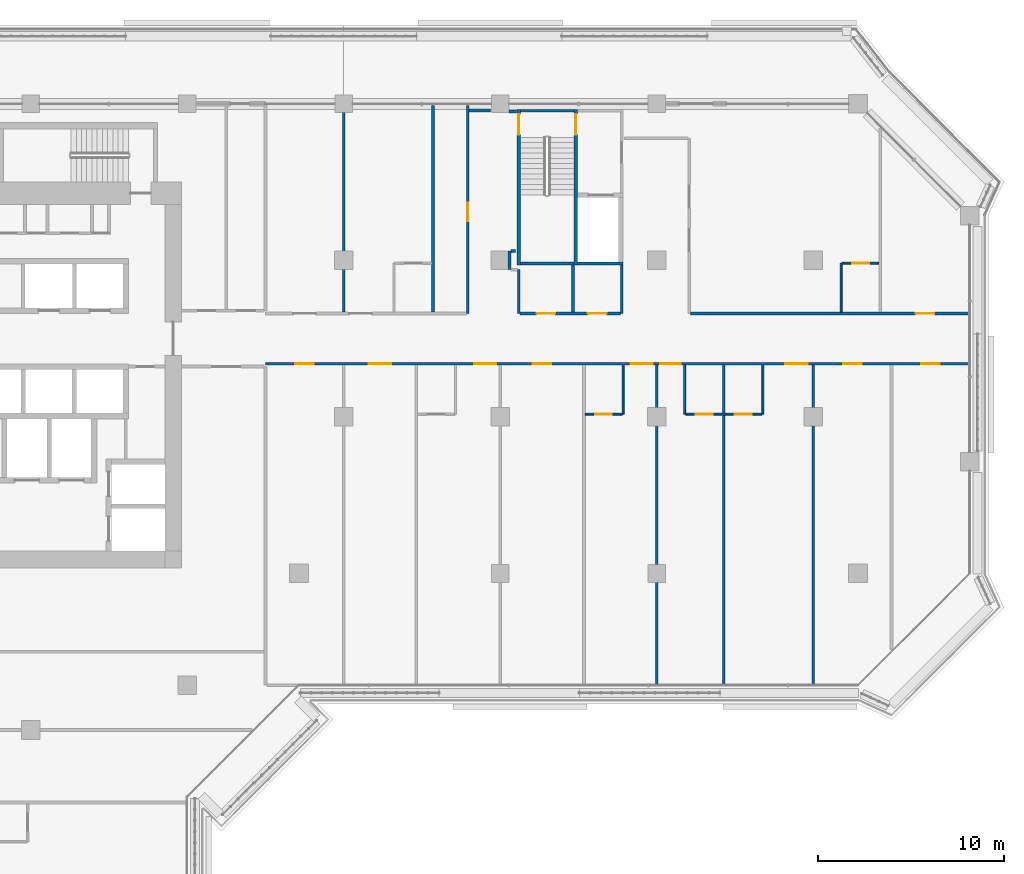
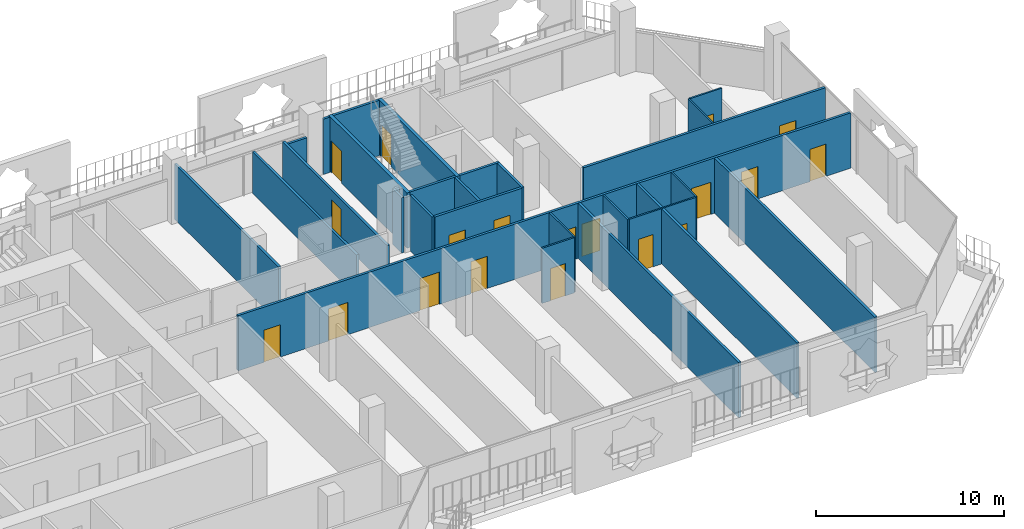
# One storey, part 13 of 21: 28 walls, 19 doors, 19 openings.
"""IFC4 building model written with IfcOpenShell, lengths in metres."""

from ifc_helpers import new_model, si_unit, direction, frame, frame_2d, origin, place, context, subcontext, project, spatial, rectangle, extrude, material, layer, layer_set, type_object, element, fill, save


model = new_model("IFC4")

# Units and contexts
model_context = context("Model", 3, precision=1e-05, world=origin(), true_north=direction((0.0, 1.0)))
body_context = subcontext(model_context, "Body", "Model", "MODEL_VIEW")
ifc_project = project(units=[si_unit("LENGTHUNIT", "METRE"), si_unit("AREAUNIT", "SQUARE_METRE"), si_unit("VOLUMEUNIT", "CUBIC_METRE"), si_unit("PLANEANGLEUNIT", "RADIAN"), si_unit("MASSUNIT", "GRAM", prefix="KILO")], contexts=[model_context])

# Site, building, storey
site_placement = place(None, origin())
site = spatial("IfcSite", under=ifc_project, at=site_placement, CompositionType="ELEMENT")
building_placement = place(site_placement, origin())
building = spatial("IfcBuilding", under=site, at=building_placement, Name="Kawkab Arch Medical Tower", CompositionType="ELEMENT")
storey_placement = place(building_placement, frame((0.0, 0.0, 192.0)))
storey = spatial("IfcBuildingStorey", under=building, at=storey_placement, Name="L44", CompositionType="ELEMENT", Elevation=192.0)

# Wall, opening, door
ifc_material_1 = material(Name="Gypsum board partition on steel studs", Category="steel")
ifc_layer_1 = layer(ifc_material_1, 0.10009765625)
ifc_layer_set_1 = layer_set([ifc_layer_1], Name="Gypsum board partition on steel studs")
wall_type_1 = type_object("IfcWallType", Name="Partition 100", PredefinedType="PARTITIONING", material=ifc_layer_set_1)
wall_1_placement = place(storey_placement, frame((46.574951171875, -16.64990234375, 0.0), z_axis=(0.0, 0.0, 1.0), x_axis=(1.0, 0.0, 0.0)))
wall_1 = element("IfcWall", 1, at=wall_1_placement, inside=storey, type_object=wall_type_1, Name="Partition 100 w005", PredefinedType="PARTITIONING", context=body_context, shape_type="SweptSolid", body=[
    extrude(rectangle(XDim=1.97509765625, YDim=0.10009765625, at=frame_2d((0.987548828125, 0.0))), origin(), (0.0, 0.0, 1.0), 3.60009765625),
])
opening_1_placement = place(wall_1_placement, frame((0.52490234375, 0.0, 0.0)))
opening_1 = element("IfcOpeningElement", 2, at=opening_1_placement, cuts=wall_1, Name="Opening W39-006", PredefinedType="OPENING", context=body_context, shape_type="SweptSolid", body=[
    extrude(rectangle(XDim=0.89990234375, YDim=2.10009765625, at=frame_2d((0.449951171875, 1.050048828125))), frame((0.0, 0.06005859375, 0.0), z_axis=(0.0, -1.0, 0.0), x_axis=(1.0, 0.0, 0.0)), (0.0, 0.0, 1.0), 0.1201171875),
])
ifc_material_2 = material(Name="Timber door leaf", Category="wood")
door_type_1 = type_object("IfcDoorType", Name="Single door 900x2100", OperationType="NOTDEFINED", PredefinedType="DOOR", material=ifc_material_2)
door_1_placement = place(opening_1_placement, origin())
door_1 = element("IfcDoor", 3, at=door_1_placement, inside=storey, type_object=door_type_1, Name="Door W39-006", OperationType="SINGLE_SWING_LEFT", OverallHeight=2.10009765625, OverallWidth=0.89990234375, PredefinedType="DOOR", context=body_context, shape_type="SweptSolid", body=[
    extrude(rectangle(XDim=0.89990234375, YDim=2.10009765625, at=frame_2d((0.449951171875, 1.050048828125))), frame((0.0, 0.02490234375, 0.0), z_axis=(0.0, -1.0, 0.0), x_axis=(1.0, 0.0, 0.0)), (0.0, 0.0, 1.0), 0.050048828125),
])
fill(opening_1, door_1)

# Wall, openings, doors
wall_2_placement = place(storey_placement, frame((51.949951171875, -16.64990234375, 0.0), z_axis=(0.0, 0.0, 1.0), x_axis=(1.0, 0.0, 0.0)))
wall_2 = element("IfcWall", 4, at=wall_2_placement, inside=storey, type_object=wall_type_1, Name="Partition 100 w006", PredefinedType="PARTITIONING", context=body_context, shape_type="SweptSolid", body=[
    extrude(rectangle(XDim=4.10009765625, YDim=0.10009765625, at=frame_2d((2.050048828125, 0.0))), origin(), (0.0, 0.0, 1.0), 3.60009765625),
])
opening_2_placement = place(wall_2_placement, frame((0.550048828125, 0.0, 0.0)))
opening_2 = element("IfcOpeningElement", 5, at=opening_2_placement, cuts=wall_2, Name="Opening W39-007", PredefinedType="OPENING", context=body_context, shape_type="SweptSolid", body=[
    extrude(rectangle(XDim=0.89990234375, YDim=2.10009765625, at=frame_2d((0.449951171875, 1.050048828125))), frame((0.0, 0.06005859375, 0.0), z_axis=(0.0, -1.0, 0.0), x_axis=(1.0, 0.0, 0.0)), (0.0, 0.0, 1.0), 0.1201171875),
])
opening_3_placement = place(wall_2_placement, frame((2.64990234375, 0.0, 0.0)))
opening_3 = element("IfcOpeningElement", 6, at=opening_3_placement, cuts=wall_2, Name="Opening W39-008", PredefinedType="OPENING", context=body_context, shape_type="SweptSolid", body=[
    extrude(rectangle(XDim=0.89990234375, YDim=2.10009765625, at=frame_2d((0.449951171875, 1.050048828125))), frame((0.0, 0.06005859375, 0.0), z_axis=(0.0, -1.0, 0.0), x_axis=(1.0, 0.0, 0.0)), (0.0, 0.0, 1.0), 0.1201171875),
])
door_2_placement = place(opening_2_placement, origin())
door_2 = element("IfcDoor", 7, at=door_2_placement, inside=storey, type_object=door_type_1, Name="Door W39-007", OperationType="SINGLE_SWING_RIGHT", OverallHeight=2.10009765625, OverallWidth=0.89990234375, PredefinedType="DOOR", context=body_context, shape_type="SweptSolid", body=[
    extrude(rectangle(XDim=0.89990234375, YDim=2.10009765625, at=frame_2d((0.449951171875, 1.050048828125))), frame((0.0, 0.02490234375, 0.0), z_axis=(0.0, -1.0, 0.0), x_axis=(1.0, 0.0, 0.0)), (0.0, 0.0, 1.0), 0.050048828125),
])
fill(opening_2, door_2)
door_3_placement = place(opening_3_placement, origin())
door_3 = element("IfcDoor", 8, at=door_3_placement, inside=storey, type_object=door_type_1, Name="Door W39-008", OperationType="SINGLE_SWING_LEFT", OverallHeight=2.10009765625, OverallWidth=0.89990234375, PredefinedType="DOOR", context=body_context, shape_type="SweptSolid", body=[
    extrude(rectangle(XDim=0.89990234375, YDim=2.10009765625, at=frame_2d((0.449951171875, 1.050048828125))), frame((0.0, 0.02490234375, 0.0), z_axis=(0.0, -1.0, 0.0), x_axis=(1.0, 0.0, 0.0)), (0.0, 0.0, 1.0), 0.050048828125),
])
fill(opening_3, door_3)

# Wall, opening, door
wall_3_placement = place(storey_placement, frame((60.35205078125, -8.550048828125, 0.0), z_axis=(0.0, 0.0, 1.0), x_axis=(1.0, 0.0, 0.0)))
wall_3 = element("IfcWall", 9, at=wall_3_placement, inside=storey, type_object=wall_type_1, Name="Partition 100 w008", PredefinedType="PARTITIONING", context=body_context, shape_type="SweptSolid", body=[
    extrude(rectangle(XDim=1.972900390625, YDim=0.10009765625, at=frame_2d((0.986328125, 0.0))), origin(), (0.0, 0.0, 1.0), 3.60009765625),
])
opening_4_placement = place(wall_3_placement, frame((0.549072265625, 0.0, 0.0)))
opening_4 = element("IfcOpeningElement", 10, at=opening_4_placement, cuts=wall_3, Name="Opening W39-004", PredefinedType="OPENING", context=body_context, shape_type="SweptSolid", body=[
    extrude(rectangle(XDim=0.89990234375, YDim=2.10009765625, at=frame_2d((0.449951171875, 1.050048828125))), frame((0.0, 0.06005859375, 0.0), z_axis=(0.0, -1.0, 0.0), x_axis=(1.0, 0.0, 0.0)), (0.0, 0.0, 1.0), 0.1201171875),
])
door_4_placement = place(opening_4_placement, origin())
door_4 = element("IfcDoor", 11, at=door_4_placement, inside=storey, type_object=door_type_1, Name="Door W39-004", OperationType="SINGLE_SWING_RIGHT", OverallHeight=2.10009765625, OverallWidth=0.89990234375, PredefinedType="DOOR", context=body_context, shape_type="SweptSolid", body=[
    extrude(rectangle(XDim=0.89990234375, YDim=2.10009765625, at=frame_2d((0.449951171875, 1.050048828125))), frame((0.0, 0.02490234375, 0.0), z_axis=(0.0, -1.0, 0.0), x_axis=(1.0, 0.0, 0.0)), (0.0, 0.0, 1.0), 0.050048828125),
])
fill(opening_4, door_4)

# Walls
for number, where, z_axis, x_axis, name in (
    (12, (48.60009765625, -16.64990234375, 0.0), (0.0, 0.0, 1.0), (0.0, 1.0, 0.0), "Partition 100 w014"),
    (13, (51.89990234375, -16.64990234375, 0.0), (0.0, 0.0, 1.0), (0.0, 1.0, 0.0), "Partition 100 w015"),
    (14, (56.10009765625, -16.64990234375, 0.0), (0.0, 0.0, 1.0), (0.0, 1.0, 0.0), "Partition 100 w016"),
):
    element("IfcWall", number, at=place(storey_placement, frame(where, z_axis=z_axis, x_axis=x_axis)), inside=storey, type_object=wall_type_1, Name=name, PredefinedType="PARTITIONING", context=body_context, shape_type="SweptSolid", body=[
        extrude(rectangle(XDim=2.625, YDim=0.10009765625, at=frame_2d((1.3125, 0.0))), origin(), (0.0, 0.0, 1.0), 3.60009765625),
    ])
wall_4_placement = place(storey_placement, frame((60.300048828125, -11.175048828125, 0.0), z_axis=(0.0, 0.0, 1.0), x_axis=(0.0, 1.0, 0.0)))
element("IfcWall", 15, at=wall_4_placement, inside=storey, type_object=wall_type_1, Name="Partition 100 w017", PredefinedType="PARTITIONING", context=body_context, shape_type="SweptSolid", body=[
    extrude(rectangle(XDim=2.6240234375, YDim=0.10009765625, at=frame_2d((1.31201171875, 0.0))), origin(), (0.0, 0.0, 1.0), 3.60009765625),
])

# Wall, openings, doors
ifc_material_3 = material(Name="Gypsum board partition on steel studs, mineral wool", Category="steel")
ifc_layer_2 = layer(ifc_material_3, 0.14990234375)
ifc_layer_set_2 = layer_set([ifc_layer_2], Name="Gypsum board partition on steel studs, mineral wool")
wall_type_2 = type_object("IfcWallType", Name="Partition 150", PredefinedType="PARTITIONING", material=ifc_layer_set_2)
wall_5_placement = place(storey_placement, frame((29.39990234375, -13.949951171875, 0.0), z_axis=(0.0, 0.0, 1.0), x_axis=(1.0, 0.0, 0.0)))
wall_5 = element("IfcWall", 16, at=wall_5_placement, inside=storey, type_object=wall_type_2, Name="Partition 150 w032", PredefinedType="PARTITIONING", context=body_context, shape_type="SweptSolid", body=[
    extrude(rectangle(XDim=37.72021484375, YDim=0.14990234375, at=frame_2d((18.860107421875, 0.0))), origin(), (0.0, 0.0, 1.0), 3.60009765625),
])
opening_5_placement = place(wall_5_placement, frame((1.60009765625, 0.0, 0.0)))
opening_5 = element("IfcOpeningElement", 17, at=opening_5_placement, cuts=wall_5, Name="Opening W39-018", PredefinedType="OPENING", context=body_context, shape_type="SweptSolid", body=[
    extrude(rectangle(XDim=1.0, YDim=2.10009765625, at=frame_2d((0.5, 1.050048828125))), frame((0.0, 0.0849609375, 0.0), z_axis=(0.0, -1.0, 0.0), x_axis=(1.0, 0.0, 0.0)), (0.0, 0.0, 1.0), 0.169921875),
])
opening_6_placement = place(wall_5_placement, frame((5.550048828125, 0.0, 0.0)))
opening_6 = element("IfcOpeningElement", 18, at=opening_6_placement, cuts=wall_5, Name="Opening W39-030", PredefinedType="OPENING", context=body_context, shape_type="SweptSolid", body=[
    extrude(rectangle(XDim=1.199951171875, YDim=2.10009765625, at=frame_2d((0.60009765625, 1.050048828125))), frame((0.0, 0.0849609375, 0.0), z_axis=(0.0, -1.0, 0.0), x_axis=(1.0, 0.0, 0.0)), (0.0, 0.0, 1.0), 0.169921875),
])
opening_7_placement = place(wall_5_placement, frame((11.199951171875, 0.0, 0.0)))
opening_7 = element("IfcOpeningElement", 19, at=opening_7_placement, cuts=wall_5, Name="Opening W39-031", PredefinedType="OPENING", context=body_context, shape_type="SweptSolid", body=[
    extrude(rectangle(XDim=1.199951171875, YDim=2.10009765625, at=frame_2d((0.60009765625, 1.050048828125))), frame((0.0, 0.0849609375, 0.0), z_axis=(0.0, -1.0, 0.0), x_axis=(1.0, 0.0, 0.0)), (0.0, 0.0, 1.0), 0.169921875),
])
opening_8_placement = place(wall_5_placement, frame((14.35009765625, 0.0, 0.0)))
opening_8 = element("IfcOpeningElement", 20, at=opening_8_placement, cuts=wall_5, Name="Opening W39-019", PredefinedType="OPENING", context=body_context, shape_type="SweptSolid", body=[
    extrude(rectangle(XDim=1.0, YDim=2.10009765625, at=frame_2d((0.5, 1.050048828125))), frame((0.0, 0.0849609375, 0.0), z_axis=(0.0, -1.0, 0.0), x_axis=(1.0, 0.0, 0.0)), (0.0, 0.0, 1.0), 0.169921875),
])
opening_9_placement = place(wall_5_placement, frame((19.60009765625, 0.0, 0.0)))
opening_9 = element("IfcOpeningElement", 21, at=opening_9_placement, cuts=wall_5, Name="Opening W39-032", PredefinedType="OPENING", context=body_context, shape_type="SweptSolid", body=[
    extrude(rectangle(XDim=1.199951171875, YDim=2.10009765625, at=frame_2d((0.60009765625, 1.050048828125))), frame((0.0, 0.0849609375, 0.0), z_axis=(0.0, -1.0, 0.0), x_axis=(1.0, 0.0, 0.0)), (0.0, 0.0, 1.0), 0.169921875),
])
opening_10_placement = place(wall_5_placement, frame((21.199951171875, 0.0, 0.0)))
opening_10 = element("IfcOpeningElement", 22, at=opening_10_placement, cuts=wall_5, Name="Opening W39-026", PredefinedType="OPENING", context=body_context, shape_type="SweptSolid", body=[
    extrude(rectangle(XDim=1.10009765625, YDim=2.10009765625, at=frame_2d((0.550048828125, 1.050048828125))), frame((0.0, 0.0849609375, 0.0), z_axis=(0.0, -1.0, 0.0), x_axis=(1.0, 0.0, 0.0)), (0.0, 0.0, 1.0), 0.169921875),
])
opening_11_placement = place(wall_5_placement, frame((27.89990234375, 0.0, 0.0)))
opening_11 = element("IfcOpeningElement", 23, at=opening_11_placement, cuts=wall_5, Name="Opening W39-033", PredefinedType="OPENING", context=body_context, shape_type="SweptSolid", body=[
    extrude(rectangle(XDim=1.199951171875, YDim=2.10009765625, at=frame_2d((0.60009765625, 1.050048828125))), frame((0.0, 0.0849609375, 0.0), z_axis=(0.0, -1.0, 0.0), x_axis=(1.0, 0.0, 0.0)), (0.0, 0.0, 1.0), 0.169921875),
])
opening_12_placement = place(wall_5_placement, frame((31.0, 0.0, 0.0)))
opening_12 = element("IfcOpeningElement", 24, at=opening_12_placement, cuts=wall_5, Name="Opening W39-020", PredefinedType="OPENING", context=body_context, shape_type="SweptSolid", body=[
    extrude(rectangle(XDim=1.0, YDim=2.10009765625, at=frame_2d((0.5, 1.050048828125))), frame((0.0, 0.0849609375, 0.0), z_axis=(0.0, -1.0, 0.0), x_axis=(1.0, 0.0, 0.0)), (0.0, 0.0, 1.0), 0.169921875),
])
opening_13_placement = place(wall_5_placement, frame((35.199951171875, 0.0, 0.0)))
opening_13 = element("IfcOpeningElement", 25, at=opening_13_placement, cuts=wall_5, Name="Opening W39-021", PredefinedType="OPENING", context=body_context, shape_type="SweptSolid", body=[
    extrude(rectangle(XDim=1.0, YDim=2.10009765625, at=frame_2d((0.5, 1.050048828125))), frame((0.0, 0.0849609375, 0.0), z_axis=(0.0, -1.0, 0.0), x_axis=(1.0, 0.0, 0.0)), (0.0, 0.0, 1.0), 0.169921875),
])
ifc_material_4 = material(Name="Hollow metal door leaf")
door_type_2 = type_object("IfcDoorType", Name="Single door 1000x2100 FD30S", OperationType="NOTDEFINED", PredefinedType="DOOR", material=ifc_material_4)
door_5_placement = place(opening_5_placement, origin())
door_5 = element("IfcDoor", 26, at=door_5_placement, inside=storey, type_object=door_type_2, Name="Door W39-018", OperationType="SINGLE_SWING_RIGHT", OverallHeight=2.10009765625, OverallWidth=1.0, PredefinedType="DOOR", context=body_context, shape_type="SweptSolid", body=[
    extrude(rectangle(XDim=1.0, YDim=2.10009765625, at=frame_2d((0.5, 1.050048828125))), frame((0.0, 0.02490234375, 0.0), z_axis=(0.0, -1.0, 0.0), x_axis=(1.0, 0.0, 0.0)), (0.0, 0.0, 1.0), 0.050048828125),
])
fill(opening_5, door_5)
door_6_placement = place(opening_8_placement, origin())
door_6 = element("IfcDoor", 27, at=door_6_placement, inside=storey, type_object=door_type_2, Name="Door W39-019", OperationType="SINGLE_SWING_RIGHT", OverallHeight=2.10009765625, OverallWidth=1.0, PredefinedType="DOOR", context=body_context, shape_type="SweptSolid", body=[
    extrude(rectangle(XDim=1.0, YDim=2.10009765625, at=frame_2d((0.5, 1.050048828125))), frame((0.0, 0.02490234375, 0.0), z_axis=(0.0, -1.0, 0.0), x_axis=(1.0, 0.0, 0.0)), (0.0, 0.0, 1.0), 0.050048828125),
])
fill(opening_8, door_6)
door_7_placement = place(opening_12_placement, origin())
door_7 = element("IfcDoor", 28, at=door_7_placement, inside=storey, type_object=door_type_2, Name="Door W39-020", OperationType="SINGLE_SWING_LEFT", OverallHeight=2.10009765625, OverallWidth=1.0, PredefinedType="DOOR", context=body_context, shape_type="SweptSolid", body=[
    extrude(rectangle(XDim=1.0, YDim=2.10009765625, at=frame_2d((0.5, 1.050048828125))), frame((0.0, 0.02490234375, 0.0), z_axis=(0.0, -1.0, 0.0), x_axis=(1.0, 0.0, 0.0)), (0.0, 0.0, 1.0), 0.050048828125),
])
fill(opening_12, door_7)
door_8_placement = place(opening_13_placement, origin())
door_8 = element("IfcDoor", 29, at=door_8_placement, inside=storey, type_object=door_type_2, Name="Door W39-021", OperationType="SINGLE_SWING_LEFT", OverallHeight=2.10009765625, OverallWidth=1.0, PredefinedType="DOOR", context=body_context, shape_type="SweptSolid", body=[
    extrude(rectangle(XDim=1.0, YDim=2.10009765625, at=frame_2d((0.5, 1.050048828125))), frame((0.0, 0.02490234375, 0.0), z_axis=(0.0, -1.0, 0.0), x_axis=(1.0, 0.0, 0.0)), (0.0, 0.0, 1.0), 0.050048828125),
])
fill(opening_13, door_8)
ifc_material_5 = material(Name="Hollow metal door leaf")
door_type_3 = type_object("IfcDoorType", Name="Single door 1100x2100 FD30S", OperationType="NOTDEFINED", PredefinedType="DOOR", material=ifc_material_5)
door_9_placement = place(opening_10_placement, origin())
door_9 = element("IfcDoor", 30, at=door_9_placement, inside=storey, type_object=door_type_3, Name="Door W39-026", OperationType="SINGLE_SWING_LEFT", OverallHeight=2.10009765625, OverallWidth=1.10009765625, PredefinedType="DOOR", context=body_context, shape_type="SweptSolid", body=[
    extrude(rectangle(XDim=1.10009765625, YDim=2.10009765625, at=frame_2d((0.550048828125, 1.050048828125))), frame((0.0, 0.02490234375, 0.0), z_axis=(0.0, -1.0, 0.0), x_axis=(1.0, 0.0, 0.0)), (0.0, 0.0, 1.0), 0.050048828125),
])
fill(opening_10, door_9)
ifc_material_6 = material(Name="Hollow metal door leaf")
door_type_4 = type_object("IfcDoorType", Name="Single door 1200x2100 FD30S", OperationType="NOTDEFINED", PredefinedType="DOOR", material=ifc_material_6)
door_10_placement = place(opening_6_placement, origin())
door_10 = element("IfcDoor", 31, at=door_10_placement, inside=storey, type_object=door_type_4, Name="Door W39-030", OperationType="SINGLE_SWING_RIGHT", OverallHeight=2.10009765625, OverallWidth=1.199951171875, PredefinedType="DOOR", context=body_context, shape_type="SweptSolid", body=[
    extrude(rectangle(XDim=1.199951171875, YDim=2.10009765625, at=frame_2d((0.60009765625, 1.050048828125))), frame((0.0, 0.02490234375, 0.0), z_axis=(0.0, -1.0, 0.0), x_axis=(1.0, 0.0, 0.0)), (0.0, 0.0, 1.0), 0.050048828125),
])
fill(opening_6, door_10)
door_11_placement = place(opening_7_placement, origin())
door_11 = element("IfcDoor", 32, at=door_11_placement, inside=storey, type_object=door_type_4, Name="Door W39-031", OperationType="SINGLE_SWING_RIGHT", OverallHeight=2.10009765625, OverallWidth=1.199951171875, PredefinedType="DOOR", context=body_context, shape_type="SweptSolid", body=[
    extrude(rectangle(XDim=1.199951171875, YDim=2.10009765625, at=frame_2d((0.60009765625, 1.050048828125))), frame((0.0, 0.02490234375, 0.0), z_axis=(0.0, -1.0, 0.0), x_axis=(1.0, 0.0, 0.0)), (0.0, 0.0, 1.0), 0.050048828125),
])
fill(opening_7, door_11)
door_12_placement = place(opening_9_placement, origin())
door_12 = element("IfcDoor", 33, at=door_12_placement, inside=storey, type_object=door_type_4, Name="Door W39-032", OperationType="SINGLE_SWING_LEFT", OverallHeight=2.10009765625, OverallWidth=1.199951171875, PredefinedType="DOOR", context=body_context, shape_type="SweptSolid", body=[
    extrude(rectangle(XDim=1.199951171875, YDim=2.10009765625, at=frame_2d((0.60009765625, 1.050048828125))), frame((0.0, 0.02490234375, 0.0), z_axis=(0.0, -1.0, 0.0), x_axis=(1.0, 0.0, 0.0)), (0.0, 0.0, 1.0), 0.050048828125),
])
fill(opening_9, door_12)
door_13_placement = place(opening_11_placement, origin())
door_13 = element("IfcDoor", 34, at=door_13_placement, inside=storey, type_object=door_type_4, Name="Door W39-033", OperationType="SINGLE_SWING_LEFT", OverallHeight=2.10009765625, OverallWidth=1.199951171875, PredefinedType="DOOR", context=body_context, shape_type="SweptSolid", body=[
    extrude(rectangle(XDim=1.199951171875, YDim=2.10009765625, at=frame_2d((0.60009765625, 1.050048828125))), frame((0.0, 0.02490234375, 0.0), z_axis=(0.0, -1.0, 0.0), x_axis=(1.0, 0.0, 0.0)), (0.0, 0.0, 1.0), 0.050048828125),
])
fill(opening_11, door_13)

wall_6_placement = place(storey_placement, frame((43.074951171875, -11.25, 0.0), z_axis=(0.0, 0.0, 1.0), x_axis=(1.0, 0.0, 0.0)))
wall_6 = element("IfcWall", 35, at=wall_6_placement, inside=storey, type_object=wall_type_2, Name="Partition 150 w034", PredefinedType="PARTITIONING", context=body_context, shape_type="SweptSolid", body=[
    extrude(rectangle(XDim=5.375, YDim=0.14990234375, at=frame_2d((2.6875, 0.0))), origin(), (0.0, 0.0, 1.0), 3.60009765625),
])
opening_14_placement = place(wall_6_placement, frame((0.875, 0.0, 0.0)))
opening_14 = element("IfcOpeningElement", 36, at=opening_14_placement, cuts=wall_6, Name="Opening W39-015", PredefinedType="OPENING", context=body_context, shape_type="SweptSolid", body=[
    extrude(rectangle(XDim=1.0, YDim=2.10009765625, at=frame_2d((0.5, 1.050048828125))), frame((0.0, 0.0849609375, 0.0), z_axis=(0.0, -1.0, 0.0), x_axis=(1.0, 0.0, 0.0)), (0.0, 0.0, 1.0), 0.169921875),
])
opening_15_placement = place(wall_6_placement, frame((3.636962890625, 0.0, 0.0)))
opening_15 = element("IfcOpeningElement", 37, at=opening_15_placement, cuts=wall_6, Name="Opening W39-016", PredefinedType="OPENING", context=body_context, shape_type="SweptSolid", body=[
    extrude(rectangle(XDim=1.0, YDim=2.10009765625, at=frame_2d((0.5, 1.050048828125))), frame((0.0, 0.0849609375, 0.0), z_axis=(0.0, -1.0, 0.0), x_axis=(1.0, 0.0, 0.0)), (0.0, 0.0, 1.0), 0.169921875),
])
door_14_placement = place(opening_14_placement, origin())
door_14 = element("IfcDoor", 38, at=door_14_placement, inside=storey, type_object=door_type_2, Name="Door W39-015", OperationType="SINGLE_SWING_LEFT", OverallHeight=2.10009765625, OverallWidth=1.0, PredefinedType="DOOR", context=body_context, shape_type="SweptSolid", body=[
    extrude(rectangle(XDim=1.0, YDim=2.10009765625, at=frame_2d((0.5, 1.050048828125))), frame((0.0, 0.02490234375, 0.0), z_axis=(0.0, -1.0, 0.0), x_axis=(1.0, 0.0, 0.0)), (0.0, 0.0, 1.0), 0.050048828125),
])
fill(opening_14, door_14)
door_15_placement = place(opening_15_placement, origin())
door_15 = element("IfcDoor", 39, at=door_15_placement, inside=storey, type_object=door_type_2, Name="Door W39-016", OperationType="SINGLE_SWING_RIGHT", OverallHeight=2.10009765625, OverallWidth=1.0, PredefinedType="DOOR", context=body_context, shape_type="SweptSolid", body=[
    extrude(rectangle(XDim=1.0, YDim=2.10009765625, at=frame_2d((0.5, 1.050048828125))), frame((0.0, 0.02490234375, 0.0), z_axis=(0.0, -1.0, 0.0), x_axis=(1.0, 0.0, 0.0)), (0.0, 0.0, 1.0), 0.050048828125),
])
fill(opening_15, door_15)

# Wall, opening, door
wall_7_placement = place(storey_placement, frame((52.218017578125, -11.25, 0.0), z_axis=(0.0, 0.0, 1.0), x_axis=(1.0, 0.0, 0.0)))
wall_7 = element("IfcWall", 40, at=wall_7_placement, inside=storey, type_object=wall_type_2, Name="Partition 150 w035", PredefinedType="PARTITIONING", context=body_context, shape_type="SweptSolid", body=[
    extrude(rectangle(XDim=14.902099609375, YDim=0.14990234375, at=frame_2d((7.451171875, 0.0))), origin(), (0.0, 0.0, 1.0), 3.60009765625),
])
opening_16_placement = place(wall_7_placement, frame((12.08203125, 0.0, 0.0)))
opening_16 = element("IfcOpeningElement", 41, at=opening_16_placement, cuts=wall_7, Name="Opening W39-017", PredefinedType="OPENING", context=body_context, shape_type="SweptSolid", body=[
    extrude(rectangle(XDim=1.0, YDim=2.10009765625, at=frame_2d((0.5, 1.050048828125))), frame((0.0, 0.0849609375, 0.0), z_axis=(0.0, -1.0, 0.0), x_axis=(1.0, 0.0, 0.0)), (0.0, 0.0, 1.0), 0.169921875),
])
door_16_placement = place(opening_16_placement, origin())
door_16 = element("IfcDoor", 42, at=door_16_placement, inside=storey, type_object=door_type_2, Name="Door W39-017", OperationType="SINGLE_SWING_RIGHT", OverallHeight=2.10009765625, OverallWidth=1.0, PredefinedType="DOOR", context=body_context, shape_type="SweptSolid", body=[
    extrude(rectangle(XDim=1.0, YDim=2.10009765625, at=frame_2d((0.5, 1.050048828125))), frame((0.0, 0.02490234375, 0.0), z_axis=(0.0, -1.0, 0.0), x_axis=(1.0, 0.0, 0.0)), (0.0, 0.0, 1.0), 0.050048828125),
])
fill(opening_16, door_16)

# Walls
wall_8_placement = place(storey_placement, frame((42.575927734375, -7.89990234375, 0.0), z_axis=(0.0, 0.0, 1.0), x_axis=(1.0, 0.0, 0.0)))
element("IfcWall", 43, at=wall_8_placement, inside=storey, type_object=wall_type_2, Name="Partition 150 w038", PredefinedType="PARTITIONING", context=body_context, shape_type="SweptSolid", body=[
    extrude(rectangle(XDim=0.244140625, YDim=0.14990234375, at=frame_2d((0.1220703125, 0.0))), origin(), (0.0, 0.0, 1.0), 3.60009765625),
])
wall_9_placement = place(storey_placement, frame((42.47509765625, -0.412109375, 0.0), z_axis=(0.0, 0.0, 1.0), x_axis=(1.0, 0.0, 0.0)))
element("IfcWall", 44, at=wall_9_placement, inside=storey, type_object=wall_type_2, Name="Partition 150 w040", PredefinedType="PARTITIONING", context=body_context, shape_type="SweptSolid", body=[
    extrude(rectangle(XDim=0.39501953125, YDim=0.14990234375, at=frame_2d((0.197509765625, 0.0))), origin(), (0.0, 0.0, 1.0), 3.60009765625),
])
wall_10_placement = place(storey_placement, frame((40.33203125, -0.35009765625, 0.0), z_axis=(0.0, 0.0, 1.0), x_axis=(1.0, 0.0, 0.0)))
element("IfcWall", 45, at=wall_10_placement, inside=storey, type_object=wall_type_2, Name="Partition 150 w041", PredefinedType="PARTITIONING", context=body_context, shape_type="SweptSolid", body=[
    extrude(rectangle(XDim=1.156005859375, YDim=0.14990234375, at=frame_2d((0.578125, 0.0))), origin(), (0.0, 0.0, 1.0), 2.699951171875),
])
wall_11_placement = place(storey_placement, frame((33.60009765625, -11.175048828125, 0.0), z_axis=(0.0, 0.0, 1.0), x_axis=(0.0, 1.0, 0.0)))
element("IfcWall", 46, at=wall_11_placement, inside=storey, type_object=wall_type_2, Name="Partition 150 w055", PredefinedType="PARTITIONING", context=body_context, shape_type="SweptSolid", body=[
    extrude(rectangle(XDim=11.094970703125, YDim=0.14990234375, at=frame_2d((5.54736328125, 0.0))), origin(), (0.0, 0.0, 1.0), 3.60009765625),
])
wall_12_placement = place(storey_placement, frame((38.39990234375, -11.175048828125, 0.0), z_axis=(0.0, 0.0, 1.0), x_axis=(0.0, 1.0, 0.0)))
element("IfcWall", 47, at=wall_12_placement, inside=storey, type_object=wall_type_2, Name="Partition 150 w057", PredefinedType="PARTITIONING", context=body_context, shape_type="SweptSolid", body=[
    extrude(rectangle(XDim=11.094970703125, YDim=0.14990234375, at=frame_2d((5.54736328125, 0.0))), origin(), (0.0, 0.0, 1.0), 2.699951171875),
])

# Wall, opening, door
wall_13_placement = place(storey_placement, frame((40.257080078125, -11.25, 0.0), z_axis=(0.0, 0.0, 1.0), x_axis=(0.0, 1.0, 0.0)))
wall_13 = element("IfcWall", 48, at=wall_13_placement, inside=storey, type_object=wall_type_2, Name="Partition 150 w058", PredefinedType="PARTITIONING", context=body_context, shape_type="SweptSolid", body=[
    extrude(rectangle(XDim=11.169921875, YDim=0.14990234375, at=frame_2d((5.5849609375, 0.0))), origin(), (0.0, 0.0, 1.0), 2.699951171875),
])
opening_17_placement = place(wall_13_placement, frame((4.949951171875, 0.0, 0.0)))
opening_17 = element("IfcOpeningElement", 49, at=opening_17_placement, cuts=wall_13, Name="Opening W39-014", PredefinedType="OPENING", context=body_context, shape_type="SweptSolid", body=[
    extrude(rectangle(XDim=1.0, YDim=2.10009765625, at=frame_2d((0.5, 1.050048828125))), frame((0.0, 0.0849609375, 0.0), z_axis=(0.0, -1.0, 0.0), x_axis=(1.0, 0.0, 0.0)), (0.0, 0.0, 1.0), 0.169921875),
])
door_17_placement = place(opening_17_placement, origin())
door_17 = element("IfcDoor", 50, at=door_17_placement, inside=storey, type_object=door_type_2, Name="Door W39-014", OperationType="SINGLE_SWING_LEFT", OverallHeight=2.10009765625, OverallWidth=1.0, PredefinedType="DOOR", context=body_context, shape_type="SweptSolid", body=[
    extrude(rectangle(XDim=1.0, YDim=2.10009765625, at=frame_2d((0.5, 1.050048828125))), frame((0.0, 0.02490234375, 0.0), z_axis=(0.0, -1.0, 0.0), x_axis=(1.0, 0.0, 0.0)), (0.0, 0.0, 1.0), 0.050048828125),
])
fill(opening_17, door_17)

# Walls
wall_14_placement = place(storey_placement, frame((42.5, -8.89892578125, 0.0), z_axis=(0.0, 0.0, 1.0), x_axis=(0.0, 1.0, 0.0)))
element("IfcWall", 51, at=wall_14_placement, inside=storey, type_object=wall_type_2, Name="Partition 150 w060", PredefinedType="PARTITIONING", context=body_context, shape_type="SweptSolid", body=[
    extrude(rectangle(XDim=0.998046875, YDim=0.14990234375, at=frame_2d((0.4990234375, 0.0))), origin(), (0.0, 0.0, 1.0), 3.60009765625),
])
wall_15_placement = place(storey_placement, frame((43.0, -11.25, 0.0), z_axis=(0.0, 0.0, 1.0), x_axis=(0.0, 1.0, 0.0)))
element("IfcWall", 52, at=wall_15_placement, inside=storey, type_object=wall_type_2, Name="Partition 150 w061", PredefinedType="PARTITIONING", context=body_context, shape_type="SweptSolid", body=[
    extrude(rectangle(XDim=2.347900390625, YDim=0.14990234375, at=frame_2d((1.173828125, 0.0))), origin(), (0.0, 0.0, 1.0), 3.60009765625),
])
wall_16_placement = place(storey_placement, frame((45.89990234375, -11.175048828125, 0.0), z_axis=(0.0, 0.0, 1.0), x_axis=(0.0, 1.0, 0.0)))
element("IfcWall", 53, at=wall_16_placement, inside=storey, type_object=wall_type_2, Name="Partition 150 w062", PredefinedType="PARTITIONING", context=body_context, shape_type="SweptSolid", body=[
    extrude(rectangle(XDim=2.525146484375, YDim=0.14990234375, at=frame_2d((1.2626953125, 0.0))), origin(), (0.0, 0.0, 1.0), 3.60009765625),
])
wall_17_placement = place(storey_placement, frame((48.52490234375, -11.25, 0.0), z_axis=(0.0, 0.0, 1.0), x_axis=(0.0, 1.0, 0.0)))
element("IfcWall", 54, at=wall_17_placement, inside=storey, type_object=wall_type_2, Name="Partition 150 w064", PredefinedType="PARTITIONING", context=body_context, shape_type="SweptSolid", body=[
    extrude(rectangle(XDim=2.60009765625, YDim=0.14990234375, at=frame_2d((1.300048828125, 0.0))), origin(), (0.0, 0.0, 1.0), 3.60009765625),
])
for number, where, z_axis, x_axis, name in (
    (55, (50.39990234375, -31.1201171875, 0.0), (0.0, 0.0, 1.0), (0.0, 1.0, 0.0), "Partition 150 w065"),
    (56, (54.0, -31.1201171875, 0.0), (0.0, 0.0, 1.0), (0.0, 1.0, 0.0), "Partition 150 w067"),
    (57, (58.800048828125, -31.1201171875, 0.0), (0.0, 0.0, 1.0), (0.0, 1.0, 0.0), "Partition 150 w068"),
):
    element("IfcWall", number, at=place(storey_placement, frame(where, z_axis=z_axis, x_axis=x_axis)), inside=storey, type_object=wall_type_2, Name=name, PredefinedType="PARTITIONING", context=body_context, shape_type="SweptSolid", body=[
        extrude(rectangle(XDim=17.09521484375, YDim=0.14990234375, at=frame_2d((8.547607421875, 0.0))), origin(), (0.0, 0.0, 1.0), 3.60009765625),
    ])
ifc_material_7 = material(Name="Concrete C50/60", Category="concrete")
ifc_layer_3 = layer(ifc_material_7, 0.14990234375)
ifc_layer_set_3 = layer_set([ifc_layer_3], Name="Concrete C50/60")
wall_type_3 = type_object("IfcWallType", Name="Stair enclosure wall 150 C50/60", PredefinedType="SHEAR", material=ifc_layer_set_3)
for number, where, z_axis, x_axis, name in (
    (58, (43.10009765625, -0.375, 0.0), (0.0, 0.0, 1.0), (1.0, 0.0, 0.0), "L44 stair enclosure wall"),
    (59, (43.10009765625, -8.574951171875, 0.0), (0.0, 0.0, 1.0), (1.0, 0.0, 0.0), "L44 stair enclosure wall"),
):
    element("IfcWall", number, at=place(storey_placement, frame(where, z_axis=z_axis, x_axis=x_axis)), inside=storey, type_object=wall_type_3, Name=name, PredefinedType="SHEAR", context=body_context, shape_type="SweptSolid", body=[
        extrude(rectangle(XDim=2.849853515625, YDim=0.14990234375, at=frame_2d((1.4248046875, 0.0))), origin(), (0.0, 0.0, 1.0), 3.60009765625),
    ])
wall_18_placement = place(storey_placement, frame((46.14990234375, -8.574951171875, 0.0), z_axis=(0.0, 0.0, 1.0), x_axis=(1.0, 0.0, 0.0)))
element("IfcWall", 60, at=wall_18_placement, inside=storey, type_object=wall_type_3, Name="L44 stair enclosure wall", PredefinedType="SHEAR", context=body_context, shape_type="SweptSolid", body=[
    extrude(rectangle(XDim=2.4501953125, YDim=0.14990234375, at=frame_2d((1.22509765625, 0.0))), origin(), (0.0, 0.0, 1.0), 3.60009765625),
])

# Wall, opening, door
ifc_material_8 = material(Name="Concrete C50/60", Category="concrete")
ifc_layer_4 = layer(ifc_material_8, 0.199951171875)
ifc_layer_set_4 = layer_set([ifc_layer_4], Name="Concrete C50/60")
wall_type_4 = type_object("IfcWallType", Name="Stair enclosure wall 200 C50/60", PredefinedType="SHEAR", material=ifc_layer_set_4)
wall_19_placement = place(storey_placement, frame((43.0, -8.64990234375, 0.0), z_axis=(0.0, 0.0, 1.0), x_axis=(0.0, 1.0, 0.0)))
wall_19 = element("IfcWall", 61, at=wall_19_placement, inside=storey, type_object=wall_type_4, Name="L44 stair enclosure wall", PredefinedType="SHEAR", context=body_context, shape_type="SweptSolid", body=[
    extrude(rectangle(XDim=8.349853515625, YDim=0.199951171875, at=frame_2d((4.1748046875, 0.0))), origin(), (0.0, 0.0, 1.0), 3.60009765625),
])
opening_18_placement = place(wall_19_placement, frame((7.0, 0.0, 0.0)))
opening_18 = element("IfcOpeningElement", 62, at=opening_18_placement, cuts=wall_19, Name="Opening SD", PredefinedType="OPENING", context=body_context, shape_type="SweptSolid", body=[
    extrude(rectangle(XDim=1.10009765625, YDim=2.10009765625, at=frame_2d((0.550048828125, 1.050048828125))), frame((0.0, 0.10986328125, 0.0), z_axis=(0.0, -1.0, 0.0), x_axis=(1.0, 0.0, 0.0)), (0.0, 0.0, 1.0), 0.219970703125),
])
ifc_material_9 = material(Name="Hollow metal fire door leaf")
door_type_5 = type_object("IfcDoorType", Name="Exit stair door 1100", OperationType="SINGLE_SWING_LEFT", PredefinedType="DOOR", material=ifc_material_9)
door_18_placement = place(opening_18_placement, frame((1.10009765625, 0.0, 0.0), z_axis=(0.0, 0.0, 1.0), x_axis=(-1.0, 0.0, 0.0)))
door_18 = element("IfcDoor", 63, at=door_18_placement, inside=storey, type_object=door_type_5, Name="L44 Exit stair ST5 door", OperationType="SINGLE_SWING_LEFT", OverallHeight=2.10009765625, OverallWidth=1.10009765625, PredefinedType="DOOR", context=body_context, shape_type="SweptSolid", body=[
    extrude(rectangle(XDim=1.10009765625, YDim=2.10009765625, at=frame_2d((0.550048828125, 1.050048828125))), frame((0.0, 0.02490234375, 0.0), z_axis=(0.0, -1.0, 0.0), x_axis=(1.0, 0.0, 0.0)), (0.0, 0.0, 1.0), 0.050048828125),
])
fill(opening_18, door_18)

wall_20_placement = place(storey_placement, frame((46.050048828125, -8.64990234375, 0.0), z_axis=(0.0, 0.0, 1.0), x_axis=(0.0, 1.0, 0.0)))
wall_20 = element("IfcWall", 64, at=wall_20_placement, inside=storey, type_object=wall_type_4, Name="L44 stair enclosure wall", PredefinedType="SHEAR", context=body_context, shape_type="SweptSolid", body=[
    extrude(rectangle(XDim=8.349853515625, YDim=0.199951171875, at=frame_2d((4.1748046875, 0.0))), origin(), (0.0, 0.0, 1.0), 3.60009765625),
])
opening_19_placement = place(wall_20_placement, frame((7.0, 0.0, 0.0)))
opening_19 = element("IfcOpeningElement", 65, at=opening_19_placement, cuts=wall_20, Name="Opening SD", PredefinedType="OPENING", context=body_context, shape_type="SweptSolid", body=[
    extrude(rectangle(XDim=1.10009765625, YDim=2.10009765625, at=frame_2d((0.550048828125, 1.050048828125))), frame((0.0, 0.10986328125, 0.0), z_axis=(0.0, -1.0, 0.0), x_axis=(1.0, 0.0, 0.0)), (0.0, 0.0, 1.0), 0.219970703125),
])
door_19_placement = place(opening_19_placement, origin())
door_19 = element("IfcDoor", 66, at=door_19_placement, inside=storey, type_object=door_type_5, Name="L44 Exit stair ST5 lobby door", OperationType="SINGLE_SWING_LEFT", OverallHeight=2.10009765625, OverallWidth=1.10009765625, PredefinedType="DOOR", context=body_context, shape_type="SweptSolid", body=[
    extrude(rectangle(XDim=1.10009765625, YDim=2.10009765625, at=frame_2d((0.550048828125, 1.050048828125))), frame((0.0, 0.02490234375, 0.0), z_axis=(0.0, -1.0, 0.0), x_axis=(1.0, 0.0, 0.0)), (0.0, 0.0, 1.0), 0.050048828125),
])
fill(opening_19, door_19)

save(model, "model.ifc")
